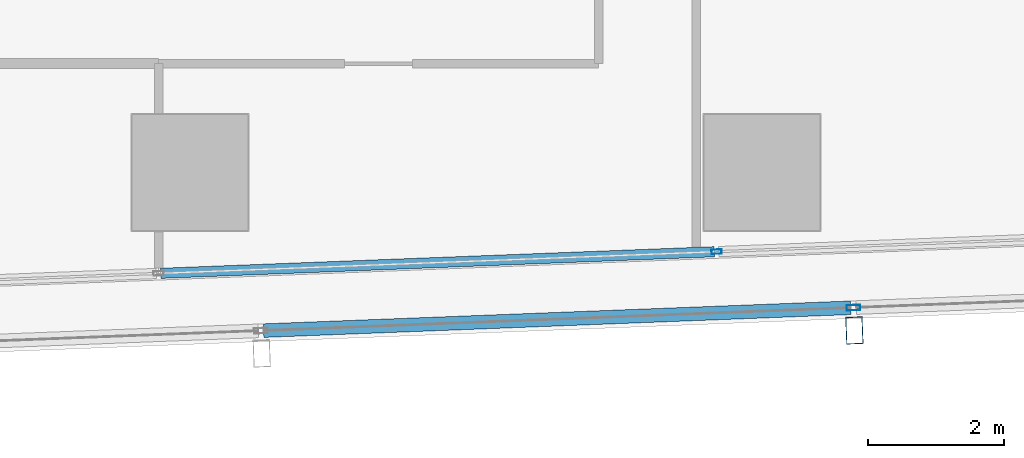
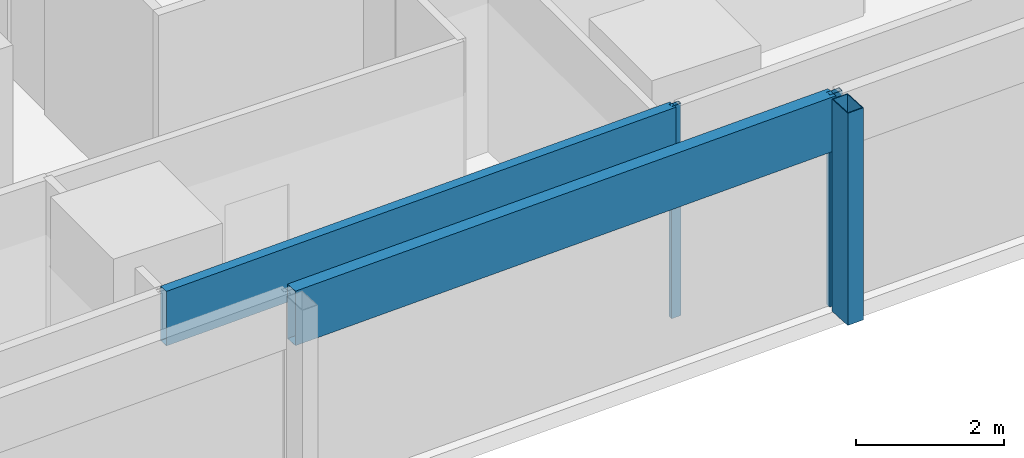
# One storey, part 11 of 40: 5 members, 2 elements without a shape of their own.
"""IFC4 building model written with IfcOpenShell, lengths in metres."""

import ifcopenshell
import ifcopenshell.guid

model = None  # the IFC model being written
_history = None  # IfcOwnerHistory: only IFC2X3 demands one
_inside = {}  # id of a spatial element -> (the spatial element, [elements in it])
_under = {}  # id of a project, library or spatial element -> (it, [spatial elements below it])
_declared = {}  # id of a project -> (the project, [libraries it declares])
_typed = {}  # id of a type object -> (the type object, [elements of that type])
_made_of = {}  # id of a material, layer set ... -> (it, [elements and type objects made of it])


def new_model(schema):
    """Start an empty IFC model of exactly this schema.

    Asked for "IFC4X3", IfcOpenShell would pick the latest addendum, in which some entities
    have other attributes; the version numbers below select the first issue.
    IFC2X3 requires an IfcOwnerHistory on every rooted entity: one is made here for all.
    """
    global model, _history
    if schema == "IFC4X3":
        model = ifcopenshell.file(schema_version=(4, 3, 0, 0))
    else:
        model = ifcopenshell.file(schema=schema)
    _inside.clear()
    _under.clear()
    _declared.clear()
    _typed.clear()
    _made_of.clear()
    _history = None
    if model.schema == "IFC2X3":
        org = make("IfcOrganization", Name="unknown")
        user = make(
            "IfcPersonAndOrganization",
            ThePerson=make("IfcPerson", FamilyName="unknown"),
            TheOrganization=org,
        )
        app = make(
            "IfcApplication",
            ApplicationDeveloper=org,
            Version="unknown",
            ApplicationFullName="unknown",
            ApplicationIdentifier="unknown",
        )
        _history = make(
            "IfcOwnerHistory",
            OwningUser=user,
            OwningApplication=app,
            ChangeAction="ADDED",
            CreationDate=0,
        )
    return model


def make(cls, **values):
    """One entity of the class cls with the attributes given. An attribute that is None is left unset."""
    return model.create_entity(
        cls, **{name: value for name, value in values.items() if value is not None}
    )


def rooted(cls, **values):
    """An entity with a GlobalId (a new one), such as an element, a storey or a relation."""
    return make(cls, GlobalId=ifcopenshell.guid.new(), OwnerHistory=_history, **values)


def si_unit(unit_type, name, prefix=None):
    """IfcSIUnit, for example si_unit("LENGTHUNIT", "METRE", prefix="MILLI")."""
    return make("IfcSIUnit", UnitType=unit_type, Prefix=prefix, Name=name)


def assignment(units):
    """IfcUnitAssignment: the units of a project."""
    return None if units is None else make("IfcUnitAssignment", Units=units)


def point(xyz):
    """IfcCartesianPoint."""
    return None if xyz is None else make("IfcCartesianPoint", Coordinates=xyz)


def direction(xyz):
    """IfcDirection."""
    return None if xyz is None else make("IfcDirection", DirectionRatios=xyz)


def frame(location, z_axis=None, x_axis=None):
    """IfcAxis2Placement3D, a coordinate frame: its origin and axes. An axis left out is left unset."""
    return make(
        "IfcAxis2Placement3D",
        Location=point(location),
        Axis=direction(z_axis),
        RefDirection=direction(x_axis),
    )


def frame_2d(location, x_axis=None):
    """IfcAxis2Placement2D, a coordinate frame in the plane: its origin and x axis."""
    return make(
        "IfcAxis2Placement2D", Location=point(location), RefDirection=direction(x_axis)
    )


def origin():
    """The frame at (0, 0, 0) with its axes left unset."""
    return frame((0.0, 0.0, 0.0))


def origin_2d():
    """The frame at (0, 0) in the plane with its x axis left unset."""
    return frame_2d((0.0, 0.0))


def place(relative_to, where):
    """IfcLocalPlacement: puts the frame where relative to a parent placement (None: the world)."""
    return make(
        "IfcLocalPlacement", PlacementRelTo=relative_to, RelativePlacement=where
    )


def context(
    kind, dimensions, precision=None, world=None, true_north=None, identifier=None
):
    """IfcGeometricRepresentationContext, for example the 3D "Model" context."""
    return make(
        "IfcGeometricRepresentationContext",
        ContextIdentifier=identifier,
        ContextType=kind,
        CoordinateSpaceDimension=dimensions,
        Precision=precision,
        WorldCoordinateSystem=world,
        TrueNorth=true_north,
    )


def subcontext(parent, identifier, kind, view, scale=None):
    """IfcGeometricRepresentationSubContext, for example "Body" below "Model"."""
    return make(
        "IfcGeometricRepresentationSubContext",
        ContextIdentifier=identifier,
        ContextType=kind,
        ParentContext=parent,
        TargetScale=scale,
        TargetView=view,
    )


def project(units=None, contexts=None):
    """IfcProject with its units and contexts."""
    return rooted(
        "IfcProject",
        Name="project",
        RepresentationContexts=contexts,
        UnitsInContext=assignment(units),
    )


def spatial(cls, under=None, at=None, **own):
    """A site, building, storey or space (cls), placed at a placement, below another one or the project."""
    s = rooted(cls, ObjectPlacement=at, **own)
    if under is not None:
        _under.setdefault(under.id(), (under, []))[1].append(s)
    return s


def profile(cls, at=None, kind="AREA", **sizes):
    """A parametric profile (cls). Its sizes go by their IFC names, for example OverallWidth=200.0."""
    return make(cls, ProfileType=kind, Position=at, **sizes)


def hollow_rectangle(**sizes):
    """IfcRectangleHollowProfileDef."""
    return profile("IfcRectangleHollowProfileDef", **sizes)


def extrude(swept, where, along, depth):
    """IfcExtrudedAreaSolid: the profile swept, set in the frame where, extruded along a direction by depth."""
    return make(
        "IfcExtrudedAreaSolid",
        SweptArea=swept,
        Position=where,
        ExtrudedDirection=direction(along),
        Depth=depth,
    )


def shape(context_of_items, identifier, shape_type, items):
    """IfcShapeRepresentation: the items that make up one representation, for example the "Body"."""
    return make(
        "IfcShapeRepresentation",
        ContextOfItems=context_of_items,
        RepresentationIdentifier=identifier,
        RepresentationType=shape_type,
        Items=items,
    )


def material(Name=None, Category=None):
    """IfcMaterial."""
    return make("IfcMaterial", Name=Name, Category=Category)


def material_profile(
    of_material, cross_section, Name=None, Category=None, Priority=None
):
    """IfcMaterialProfile: a cross section and its material."""
    return make(
        "IfcMaterialProfile",
        Name=Name,
        Material=of_material,
        Profile=cross_section,
        Priority=Priority,
        Category=Category,
    )


def profile_set(profiles, Name=None, composite=None):
    """IfcMaterialProfileSet."""
    return make(
        "IfcMaterialProfileSet",
        Name=Name,
        MaterialProfiles=profiles,
        CompositeProfile=composite,
    )


def made_of(thing, what):
    """Note that an element or type object is made of a material, layer set ...; save() writes the relation."""
    if what is not None:
        _made_of.setdefault(what.id(), (what, []))[1].append(thing)
    return thing


def type_object(cls, material=None, **own):
    """A type object (cls), such as IfcWallType, which elements share."""
    return made_of(rooted(cls, **own), material)


def element(
    cls,
    number,
    at=None,
    inside=None,
    cuts=None,
    type_object=None,
    material=None,
    context=None,
    identifier="Body",
    shape_type=None,
    held_by="IfcProductDefinitionShape",
    body=None,
    shapes=None,
    **own,
):
    """One element of the class cls, such as IfcWall. Its Tag is "e" and its number.

    at: its placement. inside: the storey or other place that contains it. cuts: it is an
    opening in that element (IfcRelVoidsElement). A single representation is given by context,
    identifier, shape_type and body (its items); several are given by shapes. held_by: the class
    of the entity that holds the representations. save() writes the other relations.
    """
    e = rooted(cls, Tag="e%d" % number, ObjectPlacement=at, **own)
    if body is not None:
        shapes = [shape(context, identifier, shape_type, body)]
    if shapes is not None:
        e.Representation = make(held_by, Representations=shapes)
    if inside is not None:
        _inside.setdefault(inside.id(), (inside, []))[1].append(e)
    if cuts is not None:
        rooted(
            "IfcRelVoidsElement", RelatingBuildingElement=cuts, RelatedOpeningElement=e
        )
    if type_object is not None:
        _typed.setdefault(type_object.id(), (type_object, []))[1].append(e)
    return made_of(e, material)


def aggregate(whole, parts):
    """IfcRelAggregates: a whole, such as a stair, and the parts it consists of."""
    return rooted("IfcRelAggregates", RelatingObject=whole, RelatedObjects=parts)


def save(model, path):
    """Write the relations noted so far, then the file.

    IfcRelAggregates (storeys below a building ...), IfcRelContainedInSpatialStructure (elements
    in a storey), IfcRelDefinesByType, IfcRelAssociatesMaterial and IfcRelDeclares: one each for
    every whole, place, type object, material and project.
    """
    for whole, parts in _under.values():
        aggregate(whole, parts)
    for where, things in _inside.values():
        rooted(
            "IfcRelContainedInSpatialStructure",
            RelatedElements=things,
            RelatingStructure=where,
        )
    for kind, things in _typed.values():
        rooted("IfcRelDefinesByType", RelatedObjects=things, RelatingType=kind)
    for what, things in _made_of.values():
        rooted("IfcRelAssociatesMaterial", RelatedObjects=things, RelatingMaterial=what)
    for by, libraries in _declared.values():
        rooted("IfcRelDeclares", RelatingContext=by, RelatedDefinitions=libraries)
    model.write(path)


model = new_model("IFC4")

# Units and contexts
model_context = context("Model", 3, precision=1e-05, world=origin(), true_north=direction((0.0, 1.0)))
body_context = subcontext(model_context, "Body", "Model", "MODEL_VIEW")
ifc_project = project(units=[si_unit("LENGTHUNIT", "METRE"), si_unit("AREAUNIT", "SQUARE_METRE"), si_unit("VOLUMEUNIT", "CUBIC_METRE"), si_unit("PLANEANGLEUNIT", "RADIAN"), si_unit("MASSUNIT", "GRAM", prefix="KILO")], contexts=[model_context])

# Site, building, storey
site_placement = place(None, origin())
site = spatial("IfcSite", under=ifc_project, at=site_placement, CompositionType="ELEMENT")
building_placement = place(site_placement, origin())
building = spatial("IfcBuilding", under=site, at=building_placement, Name="Rekha Terrace Tower", CompositionType="ELEMENT")
storey_placement = place(building_placement, frame((0.0, 0.0, 102.800048828125)))
storey = spatial("IfcBuildingStorey", under=building, at=storey_placement, Name="L25", CompositionType="ELEMENT", Elevation=102.800048828125)

# Curtain wall, member
ifc_material_1 = material(Name="Aluminium framing", Category="aluminium")
curtain_wall_type_1 = type_object("IfcCurtainWallType", Name="CW2 double skin outer glazing", PredefinedType="USERDEFINED", material=ifc_material_1)
curtain_wall_1_placement = place(storey_placement, origin())
curtain_wall_1 = element("IfcCurtainWall", 1, at=curtain_wall_1_placement, inside=storey, type_object=curtain_wall_type_1, Name="CW2 double skin outer glazing", ObjectType="DOUBLE SKIN OUTER GLAZING", PredefinedType="USERDEFINED")
ifc_material_2 = material(Name="Steel S355 with fluorocarbon finish", Category="steel")
ifc_material_profile_1 = material_profile(ifc_material_2, hollow_rectangle(XDim=0.25, YDim=0.39990234375, WallThickness=0.012451171875, at=origin_2d()), Name="RHS400x250x12.5")
ifc_profile_set_1 = profile_set([ifc_material_profile_1], Name="Steel S355 with fluorocarbon finish")
member_type_1 = type_object("IfcMemberType", Name="BL1 facade blade RHS 400 x 250", PredefinedType="USERDEFINED", material=ifc_profile_set_1)
member_1_placement = place(storey_placement, frame((60.1572265625, 14.480712890625, 0.0), z_axis=(0.0, 0.0, 1.0), x_axis=(0.999243494356, 0.038890088543, 0.0)))
member_1 = element("IfcMember", 2, at=member_1_placement, type_object=member_type_1, Name="Facade blade", ObjectType="FACADE BLADE", PredefinedType="USERDEFINED", context=body_context, shape_type="SweptSolid", body=[
    extrude(hollow_rectangle(XDim=0.25, YDim=0.39990234375, WallThickness=0.012451171875, at=origin_2d()), origin(), (0.0, 0.0, 1.0), 3.5),
])

# Curtain wall, members
curtain_wall_type_2 = type_object("IfcCurtainWallType", Name="CW1 double skin inner glazing", PredefinedType="USERDEFINED", material=ifc_material_1)
curtain_wall_2_placement = place(storey_placement, origin())
curtain_wall_2 = element("IfcCurtainWall", 3, at=curtain_wall_2_placement, inside=storey, type_object=curtain_wall_type_2, Name="CW1 double skin inner glazing", ObjectType="DOUBLE SKIN INNER GLAZING", PredefinedType="USERDEFINED")
ifc_material_3 = material(Name="Aluminium mullion section", Category="aluminium")
ifc_material_profile_2 = material_profile(ifc_material_3, hollow_rectangle(XDim=0.06494140625, YDim=0.14990234375, WallThickness=0.00390625, at=origin_2d()), Name="AL RHS 65x150")
ifc_profile_set_2 = profile_set([ifc_material_profile_2], Name="Aluminium mullion section")
member_type_2 = type_object("IfcMemberType", Name="CW1 mullion RHS 65 x 150", PredefinedType="MULLION", material=ifc_profile_set_2)
member_2_placement = place(storey_placement, frame((58.13330078125, 15.637939453125, 0.0), z_axis=(0.0, 0.0, 1.0), x_axis=(-0.038889971345, 0.999243498917, 0.0)))
member_2 = element("IfcMember", 4, at=member_2_placement, type_object=member_type_2, Name="CW1 mullion 5", PredefinedType="MULLION", context=body_context, shape_type="SweptSolid", body=[
    extrude(hollow_rectangle(XDim=0.06494140625, YDim=0.14990234375, WallThickness=0.00390625, at=origin_2d()), origin(), (0.0, 0.0, 1.0), 3.5),
])
ifc_material_4 = material(Name="Insulated aluminium spandrel box", Category="aluminium")
ifc_material_profile_3 = material_profile(ifc_material_4, hollow_rectangle(XDim=0.14990234375, YDim=0.89990234375, WallThickness=0.0029296875, at=origin_2d()), Name="AL SPANDREL BOX 150x900")
ifc_profile_set_3 = profile_set([ifc_material_profile_3], Name="Insulated aluminium spandrel box")
member_type_3 = type_object("IfcMemberType", Name="CW1 spandrel transom 150 x 900", PredefinedType="USERDEFINED", material=ifc_profile_set_3)
member_3_placement = place(storey_placement, frame((49.96923828125, 15.320068359375, 3.050048828125), z_axis=(0.999242669674, 0.038911272182, 0.0), x_axis=(-0.038911272182, 0.999242669674, 0.0)))
member_3 = element("IfcMember", 5, at=member_3_placement, type_object=member_type_3, Name="CW1 spandrel transom 4", ObjectType="TRANSOM", PredefinedType="USERDEFINED", context=body_context, shape_type="SweptSolid", body=[
    extrude(hollow_rectangle(XDim=0.14990234375, YDim=0.89990234375, WallThickness=0.0029296875, at=origin_2d()), origin(), (0.0, 0.0, 1.0), 8.1376953125),
])
aggregate(curtain_wall_2, [member_2, member_3])

# Member
ifc_material_profile_4 = material_profile(ifc_material_3, hollow_rectangle(XDim=0.080078125, YDim=0.199951171875, WallThickness=0.00390625, at=origin_2d()), Name="AL RHS 80x200")
ifc_profile_set_4 = profile_set([ifc_material_profile_4], Name="Aluminium mullion section")
member_type_4 = type_object("IfcMemberType", Name="CW2 mullion RHS 80 x 200", PredefinedType="MULLION", material=ifc_profile_set_4)
member_4_placement = place(storey_placement, frame((60.14404296875, 14.8154296875, 0.0), z_axis=(0.0, 0.0, 1.0), x_axis=(-0.038889971345, 0.999243498917, 0.0)))
member_4 = element("IfcMember", 6, at=member_4_placement, type_object=member_type_4, Name="CW2 mullion 5", PredefinedType="MULLION", context=body_context, shape_type="SweptSolid", body=[
    extrude(hollow_rectangle(XDim=0.080078125, YDim=0.199951171875, WallThickness=0.00390625, at=origin_2d()), origin(), (0.0, 0.0, 1.0), 3.5),
])

ifc_material_profile_5 = material_profile(ifc_material_4, hollow_rectangle(XDim=0.199951171875, YDim=0.89990234375, WallThickness=0.0029296875, at=origin_2d()), Name="AL SPANDREL BOX 200x900")
ifc_profile_set_5 = profile_set([ifc_material_profile_5], Name="Insulated aluminium spandrel box")
member_type_5 = type_object("IfcMemberType", Name="CW2 spandrel transom 200 x 900", PredefinedType="USERDEFINED", material=ifc_profile_set_5)
member_5_placement = place(storey_placement, frame((51.47900390625, 14.478271484375, 3.050048828125), z_axis=(0.999243481303, 0.038890423923, 0.0), x_axis=(-0.038890423923, 0.999243481303, 0.0)))
member_5 = element("IfcMember", 7, at=member_5_placement, type_object=member_type_5, Name="CW2 spandrel transom 4", ObjectType="TRANSOM", PredefinedType="USERDEFINED", context=body_context, shape_type="SweptSolid", body=[
    extrude(hollow_rectangle(XDim=0.199951171875, YDim=0.89990234375, WallThickness=0.0029296875, at=origin_2d()), origin(), (0.0, 0.0, 1.0), 8.6318359375),
])

aggregate(curtain_wall_1, [member_4, member_5, member_1])

save(model, "model.ifc")
